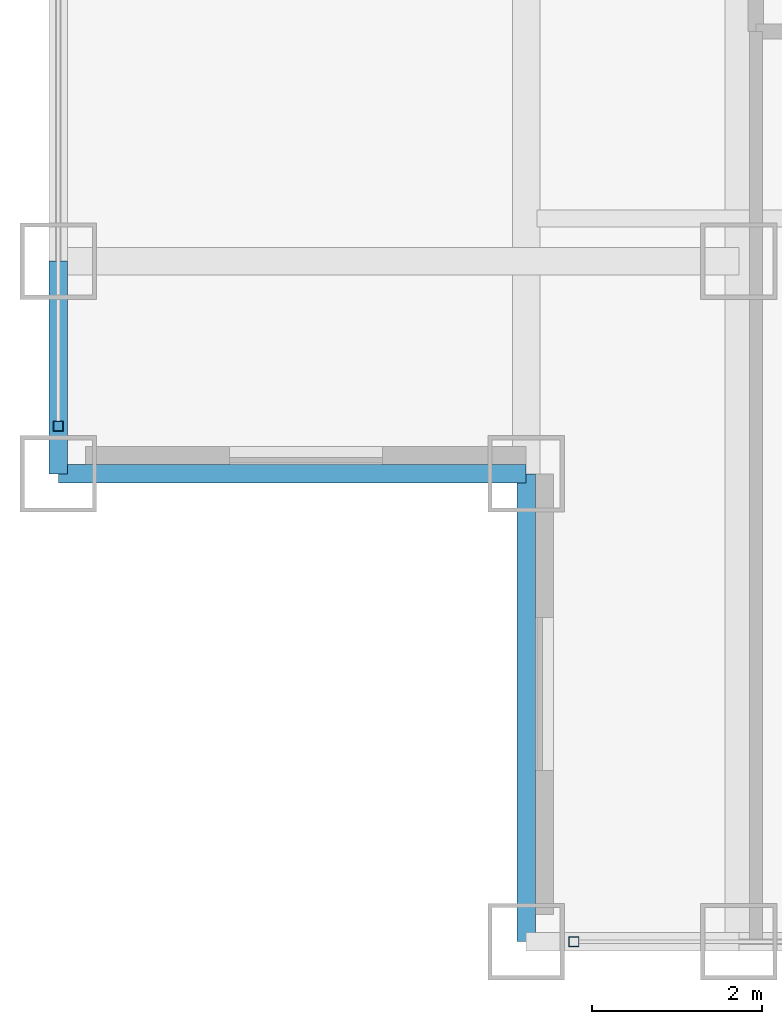
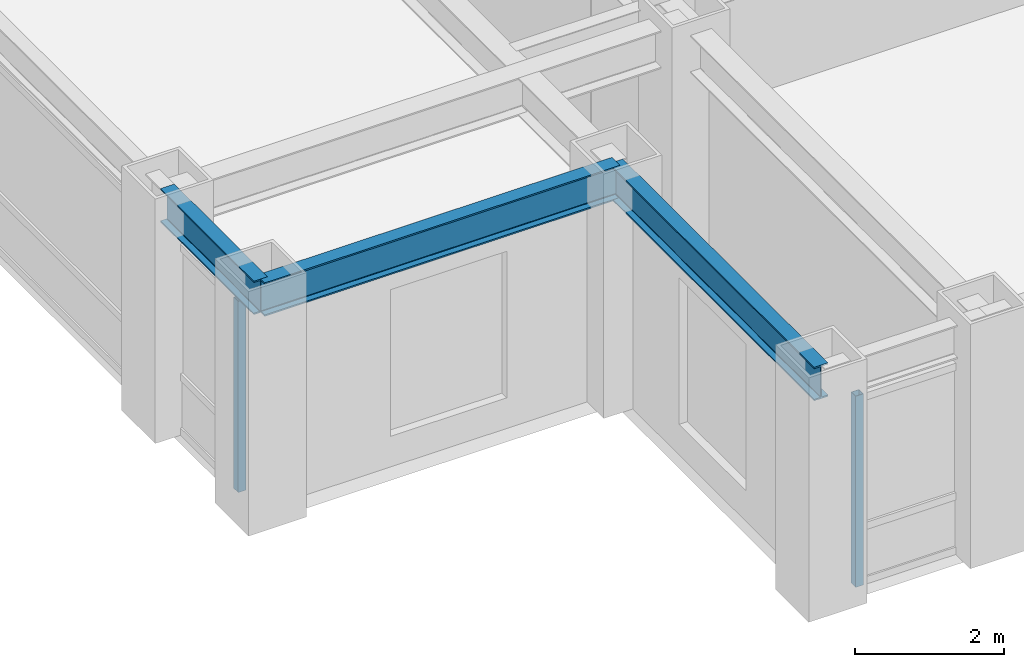
# One storey, part 2 of 22: 3 beams, 2 members, 2 elements without a shape of their own.
"""IFC4 building model written with IfcOpenShell, lengths in metres."""

from ifc_helpers import new_model, si_unit, direction, frame, origin, origin_2d, place, context, subcontext, project, spatial, hollow_rectangle, i_section, extrude, source, transform, mapped, material, material_profile, profile_set, type_object, element, aggregate, save


model = new_model("IFC4")

# Units and contexts
model_context = context("Model", 3, precision=1e-05, world=origin(), true_north=direction((0.0, 1.0)))
body_context = subcontext(model_context, "Body", "Model", "MODEL_VIEW")
ifc_project = project(units=[si_unit("LENGTHUNIT", "METRE"), si_unit("AREAUNIT", "SQUARE_METRE"), si_unit("VOLUMEUNIT", "CUBIC_METRE"), si_unit("PLANEANGLEUNIT", "RADIAN"), si_unit("MASSUNIT", "GRAM", prefix="KILO")], contexts=[model_context])

# Site, building, storey
site_placement = place(None, origin())
site = spatial("IfcSite", under=ifc_project, at=site_placement, CompositionType="ELEMENT")
building_placement = place(site_placement, origin())
building = spatial("IfcBuilding", under=site, at=building_placement, Name="Khorayat Bourse Tower", CompositionType="ELEMENT")
storey_placement = place(building_placement, frame((0.0, 0.0, 301.5)))
storey = spatial("IfcBuildingStorey", under=building, at=storey_placement, Name="L71", CompositionType="ELEMENT", Elevation=301.5)

# Beams
ifc_material_1 = material(Name="Steel ASTM A992 Grade 50", Category="steel")
ifc_material_profile_1 = material_profile(ifc_material_1, i_section(OverallWidth=0.214111328125, OverallDepth=0.549072265625, WebThickness=0.0146484375, FlangeThickness=0.023681640625, FilletRadius=0.013916015625, at=origin_2d()), Name="W530X138")
ifc_profile_set_1 = profile_set([ifc_material_profile_1], Name="Steel ASTM A992 Grade 50")
beam_type = type_object("IfcBeamType", Name="BM-SPAN-530", PredefinedType="SPANDREL", material=ifc_profile_set_1)
shared_shape_1 = source(origin(), body_context, "Body", "SweptSolid", [
    extrude(i_section(OverallWidth=0.214111328125, OverallDepth=0.549072265625, WebThickness=0.0146484375, FlangeThickness=0.023681640625, FilletRadius=0.013916015625, at=origin_2d()), origin(), (0.0, 0.0, 1.0), 2.5),
])
beam_placement = place(storey_placement, frame((-28.0, -22.5, 3.505615234375), z_axis=(0.0, 1.0, 0.0), x_axis=(-1.0, 0.0, 0.0)))
element("IfcBeam", 1, at=beam_placement, inside=storey, type_object=beam_type, Name="L71 BM-SPAN-530 BM-L71-SPN-061", PredefinedType="SPANDREL", context=body_context, shape_type="MappedRepresentation", body=[
    mapped(shared_shape_1, transform((0.0, 0.0, 0.0), scale=1.0)),
])
shared_shape_2 = source(origin(), body_context, "Body", "SweptSolid", [
    extrude(i_section(OverallWidth=0.214111328125, OverallDepth=0.549072265625, WebThickness=0.0146484375, FlangeThickness=0.023681640625, FilletRadius=0.013916015625, at=origin_2d()), origin(), (0.0, 0.0, 1.0), 5.5),
])
for number, where, z_axis, x_axis, name in (
    (2, (-28.0, -22.5, 3.505615234375), (1.0, 0.0, 0.0), (0.0, 1.0, 0.0), "L71 BM-SPAN-530 BM-L71-SPN-062"),
    (3, (-22.5, -28.0, 3.505615234375), (0.0, 1.0, 0.0), (-1.0, 0.0, 0.0), "L71 BM-SPAN-530 BM-L71-SPN-063"),
):
    element("IfcBeam", number, at=place(storey_placement, frame(where, z_axis=z_axis, x_axis=x_axis)), inside=storey, type_object=beam_type, Name=name, PredefinedType="SPANDREL", context=body_context, shape_type="MappedRepresentation", body=[
        mapped(shared_shape_2, transform((0.0, 0.0, 0.0), scale=1.0)),
    ])

# Curtain wall, member
ifc_material_2 = material(Name="Aluminium EN AW-6063 T6", Category="aluminium")
curtain_wall_type = type_object("IfcCurtainWallType", Name="CW-SYS-04", PredefinedType="NOTDEFINED", material=ifc_material_2)
curtain_wall_1_placement = place(storey_placement, origin())
curtain_wall_1 = element("IfcCurtainWall", 4, at=curtain_wall_1_placement, inside=storey, type_object=curtain_wall_type, Name="L71 Curtain Wall CW-L71-S1", PredefinedType="NOTDEFINED")
ifc_material_profile_2 = material_profile(ifc_material_2, hollow_rectangle(XDim=0.1201171875, YDim=0.1201171875, WallThickness=0.0048828125, at=origin_2d()), Name="ALU 120x120x5")
ifc_profile_set_2 = profile_set([ifc_material_profile_2], Name="Aluminium EN AW-6063 T6")
member_type = type_object("IfcMemberType", Name="CWM-VERT-120", PredefinedType="MULLION", material=ifc_profile_set_2)
shared_shape_3 = source(origin(), body_context, "Body", "SweptSolid", [
    extrude(hollow_rectangle(XDim=0.1201171875, YDim=0.1201171875, WallThickness=0.0048828125, at=origin_2d()), origin(), (0.0, 0.0, 1.0), 3.1298828125),
])
member_1_placement = place(storey_placement, frame((-21.93994140625, -28.0, 0.0), z_axis=(0.0, 0.0, 1.0), x_axis=(0.0, 1.0, 0.0)))
member_1 = element("IfcMember", 5, at=member_1_placement, type_object=member_type, Name="CW-L71-S1 Vertical Mullion 1", PredefinedType="MULLION", context=body_context, shape_type="MappedRepresentation", body=[
    mapped(shared_shape_3, transform((0.0, 0.0, 0.0), scale=1.0)),
])
aggregate(curtain_wall_1, [member_1])

curtain_wall_2_placement = place(storey_placement, origin())
curtain_wall_2 = element("IfcCurtainWall", 6, at=curtain_wall_2_placement, inside=storey, type_object=curtain_wall_type, Name="L71 Curtain Wall CW-L71-W1", PredefinedType="NOTDEFINED")
member_2_placement = place(storey_placement, frame((-28.0, -21.93994140625, 0.0), z_axis=(0.0, 0.0, 1.0), x_axis=(-1.0, 0.0, 0.0)))
member_2 = element("IfcMember", 7, at=member_2_placement, type_object=member_type, Name="CW-L71-W1 Vertical Mullion 1", PredefinedType="MULLION", context=body_context, shape_type="MappedRepresentation", body=[
    mapped(shared_shape_3, transform((0.0, 0.0, 0.0), scale=1.0)),
])
aggregate(curtain_wall_2, [member_2])

save(model, "model.ifc")
